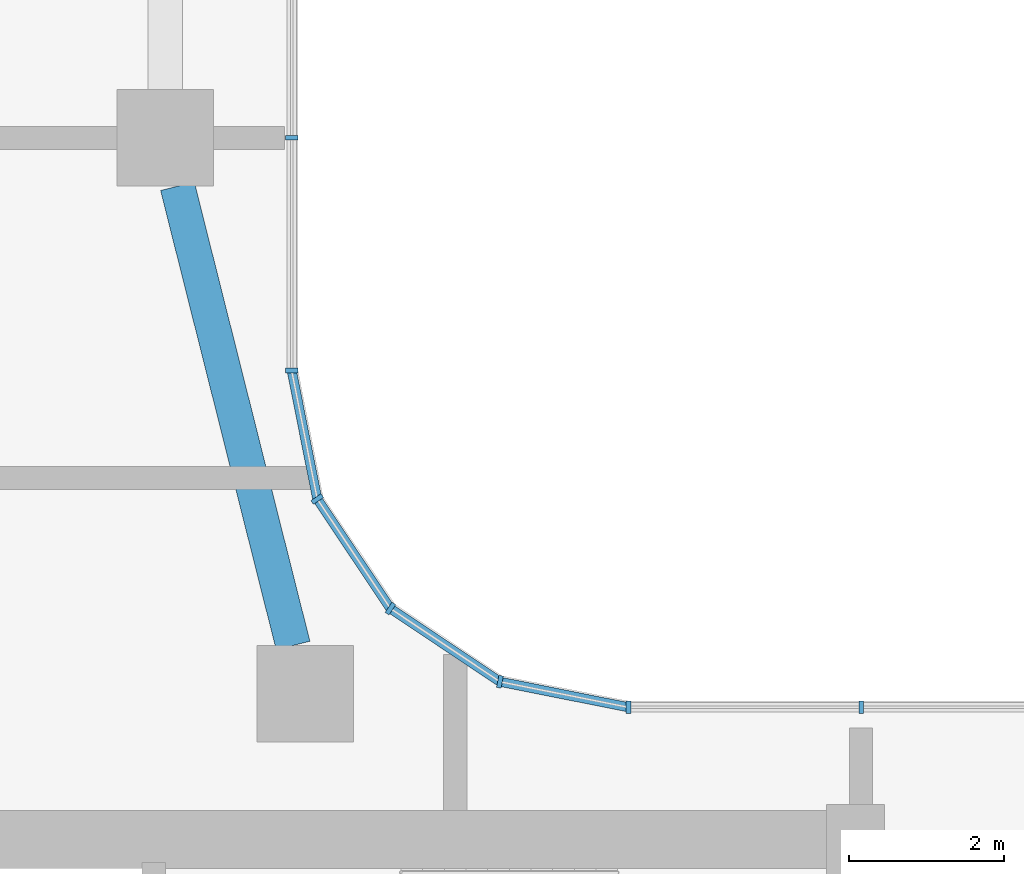
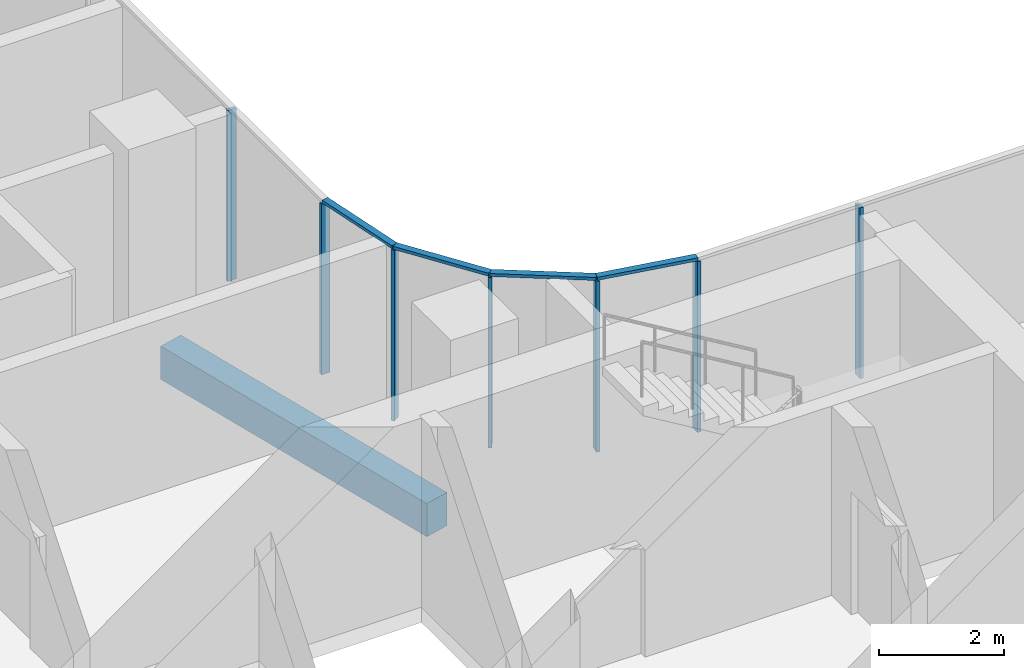
# One storey, part 2 of 22: 11 members, 1 beam, 3 elements without a shape of their own.
"""IFC4 building model written with IfcOpenShell, lengths in metres."""

from ifc_helpers import new_model, si_unit, direction, frame, origin, origin_2d, place, context, subcontext, project, spatial, rectangle, extrude, material, material_profile, profile_set, type_object, element, aggregate, save


model = new_model("IFC4")

# Units and contexts
model_context = context("Model", 3, precision=1e-05, world=origin(), true_north=direction((0.0, 1.0)))
body_context = subcontext(model_context, "Body", "Model", "MODEL_VIEW")
ifc_project = project(units=[si_unit("LENGTHUNIT", "METRE"), si_unit("AREAUNIT", "SQUARE_METRE"), si_unit("VOLUMEUNIT", "CUBIC_METRE"), si_unit("PLANEANGLEUNIT", "RADIAN"), si_unit("MASSUNIT", "GRAM", prefix="KILO")], contexts=[model_context])

# Site, building, storey
site_placement = place(None, origin())
site = spatial("IfcSite", under=ifc_project, at=site_placement, CompositionType="ELEMENT")
building_placement = place(site_placement, origin())
building = spatial("IfcBuilding", under=site, at=building_placement, Name="Ogive Portal Towers", CompositionType="ELEMENT")
storey_placement = place(building_placement, frame((0.0, 0.0, 131.5)))
storey = spatial("IfcBuildingStorey", under=building, at=storey_placement, Name="L32", CompositionType="ELEMENT", Elevation=131.5)

# Curtain wall, members
ifc_material_1 = material(Name="Glass, clear low-iron insulated glazing", Category="glass")
curtain_wall_type = type_object("IfcCurtainWallType", Name="CW FRONT RIBBON 4500", PredefinedType="NOTDEFINED", material=ifc_material_1)
curtain_wall_1_placement = place(storey_placement, origin())
curtain_wall_1 = element("IfcCurtainWall", 1, at=curtain_wall_1_placement, inside=storey, type_object=curtain_wall_type, Name="A:L32:f13:cw0", PredefinedType="NOTDEFINED")
ifc_material_2 = material(Name="Aluminium 6063 anodised", Category="aluminium")
ifc_material_profile_1 = material_profile(ifc_material_2, rectangle(XDim=0.159912109375, YDim=0.06005859375, at=origin_2d()), Name="AL 60x160")
ifc_profile_set_1 = profile_set([ifc_material_profile_1], Name="Aluminium 6063 anodised")
member_type_1 = type_object("IfcMemberType", Name="CW MULLION 60x160", PredefinedType="MULLION", material=ifc_profile_set_1)
member_1_placement = place(storey_placement, frame((58.5, 41.135009765625, 0.0), z_axis=(0.0, 0.0, 1.0), x_axis=(0.0, -1.0, 0.0)))
member_1 = element("IfcMember", 2, at=member_1_placement, type_object=member_type_1, Name="mullion", PredefinedType="MULLION", context=body_context, shape_type="SweptSolid", body=[
    extrude(rectangle(XDim=0.159912109375, YDim=0.06005859375, at=origin_2d()), origin(), (0.0, 0.0, 1.0), 3.340087890625),
])
member_2_placement = place(storey_placement, frame((55.4921875, 41.135009765625, 0.0), z_axis=(0.0, 0.0, 1.0), x_axis=(0.0, -1.0, 0.0)))
member_2 = element("IfcMember", 3, at=member_2_placement, type_object=member_type_1, Name="mullion", PredefinedType="MULLION", context=body_context, shape_type="SweptSolid", body=[
    extrude(rectangle(XDim=0.159912109375, YDim=0.06005859375, at=origin_2d()), origin(), (0.0, 0.0, 1.0), 3.340087890625),
])
aggregate(curtain_wall_1, [member_1, member_2])

curtain_wall_2_placement = place(storey_placement, origin())
curtain_wall_2 = element("IfcCurtainWall", 4, at=curtain_wall_2_placement, inside=storey, type_object=curtain_wall_type, Name="A:L32:f18:cw0", PredefinedType="NOTDEFINED")
member_3_placement = place(storey_placement, frame((51.135009765625, 45.4921875, 0.0), z_axis=(0.0, 0.0, 1.0), x_axis=(-1.0, 0.0, 0.0)))
member_3 = element("IfcMember", 5, at=member_3_placement, type_object=member_type_1, Name="mullion", PredefinedType="MULLION", context=body_context, shape_type="SweptSolid", body=[
    extrude(rectangle(XDim=0.159912109375, YDim=0.06005859375, at=origin_2d()), origin(), (0.0, 0.0, 1.0), 3.340087890625),
])
member_4_placement = place(storey_placement, frame((51.135009765625, 48.5, 0.0), z_axis=(0.0, 0.0, 1.0), x_axis=(-1.0, 0.0, 0.0)))
member_4 = element("IfcMember", 6, at=member_4_placement, type_object=member_type_1, Name="mullion", PredefinedType="MULLION", context=body_context, shape_type="SweptSolid", body=[
    extrude(rectangle(XDim=0.159912109375, YDim=0.06005859375, at=origin_2d()), origin(), (0.0, 0.0, 1.0), 3.340087890625),
])
aggregate(curtain_wall_2, [member_3, member_4])

curtain_wall_3_placement = place(storey_placement, origin())
curtain_wall_3 = element("IfcCurtainWall", 7, at=curtain_wall_3_placement, inside=storey, type_object=curtain_wall_type, Name="A:L32:f14:cwa", PredefinedType="NOTDEFINED")
member_5_placement = place(storey_placement, frame((53.8291015625, 41.4658203125, 0.0), z_axis=(0.0, 0.0, 1.0), x_axis=(-0.195090322016, -0.980785280403, 0.0)))
member_5 = element("IfcMember", 8, at=member_5_placement, type_object=member_type_1, Name="mullion", PredefinedType="MULLION", context=body_context, shape_type="SweptSolid", body=[
    extrude(rectangle(XDim=0.159912109375, YDim=0.06005859375, at=origin_2d()), origin(), (0.0, 0.0, 1.0), 3.340087890625),
])
member_6_placement = place(storey_placement, frame((52.412353515625, 42.412353515625, 0.0), z_axis=(0.0, 0.0, 1.0), x_axis=(-0.55557023302, -0.831469612303, 0.0)))
member_6 = element("IfcMember", 9, at=member_6_placement, type_object=member_type_1, Name="mullion", PredefinedType="MULLION", context=body_context, shape_type="SweptSolid", body=[
    extrude(rectangle(XDim=0.159912109375, YDim=0.06005859375, at=origin_2d()), origin(), (0.0, 0.0, 1.0), 3.340087890625),
])
member_7_placement = place(storey_placement, frame((51.4658203125, 43.8291015625, 0.0), z_axis=(0.0, 0.0, 1.0), x_axis=(-0.831469612303, -0.55557023302, 0.0)))
member_7 = element("IfcMember", 10, at=member_7_placement, type_object=member_type_1, Name="mullion", PredefinedType="MULLION", context=body_context, shape_type="SweptSolid", body=[
    extrude(rectangle(XDim=0.159912109375, YDim=0.06005859375, at=origin_2d()), origin(), (0.0, 0.0, 1.0), 3.340087890625),
])
ifc_material_profile_2 = material_profile(ifc_material_2, rectangle(XDim=0.1201171875, YDim=0.06005859375, at=origin_2d()), Name="AL 120x60")
ifc_profile_set_2 = profile_set([ifc_material_profile_2], Name="Aluminium 6063 anodised")
member_type_2 = type_object("IfcMemberType", Name="CW TRANSOM 60x120", PredefinedType="USERDEFINED", material=ifc_profile_set_2)
member_8_placement = place(storey_placement, frame((55.4921875, 41.135009765625, 3.3701171875), z_axis=(-0.980785033743, 0.195091562056, 0.0), x_axis=(-0.195091562056, -0.980785033743, 0.0)))
member_8 = element("IfcMember", 11, at=member_8_placement, type_object=member_type_2, Name="transom", ObjectType="TRANSOM", PredefinedType="USERDEFINED", context=body_context, shape_type="SweptSolid", body=[
    extrude(rectangle(XDim=0.1201171875, YDim=0.06005859375, at=origin_2d()), origin(), (0.0, 0.0, 1.0), 1.695556640625),
])
member_9_placement = place(storey_placement, frame((53.8291015625, 41.4658203125, 3.3701171875), z_axis=(-0.831498776979, 0.555526582517, 0.0), x_axis=(-0.555526582517, -0.831498776979, 0.0)))
member_9 = element("IfcMember", 12, at=member_9_placement, type_object=member_type_2, Name="transom", ObjectType="TRANSOM", PredefinedType="USERDEFINED", context=body_context, shape_type="SweptSolid", body=[
    extrude(rectangle(XDim=0.1201171875, YDim=0.06005859375, at=origin_2d()), origin(), (0.0, 0.0, 1.0), 1.703857421875),
])
member_10_placement = place(storey_placement, frame((52.412353515625, 42.412353515625, 3.3701171875), z_axis=(-0.555526582517, 0.831498776979, 0.0), x_axis=(-0.831498776979, -0.555526582517, 0.0)))
member_10 = element("IfcMember", 13, at=member_10_placement, type_object=member_type_2, Name="transom", ObjectType="TRANSOM", PredefinedType="USERDEFINED", context=body_context, shape_type="SweptSolid", body=[
    extrude(rectangle(XDim=0.1201171875, YDim=0.06005859375, at=origin_2d()), origin(), (0.0, 0.0, 1.0), 1.703857421875),
])
member_11_placement = place(storey_placement, frame((51.4658203125, 43.8291015625, 3.3701171875), z_axis=(-0.195091562056, 0.980785033743, 0.0), x_axis=(-0.980785033743, -0.195091562056, 0.0)))
member_11 = element("IfcMember", 14, at=member_11_placement, type_object=member_type_2, Name="transom", ObjectType="TRANSOM", PredefinedType="USERDEFINED", context=body_context, shape_type="SweptSolid", body=[
    extrude(rectangle(XDim=0.1201171875, YDim=0.06005859375, at=origin_2d()), origin(), (0.0, 0.0, 1.0), 1.695556640625),
])
aggregate(curtain_wall_3, [member_8, member_9, member_10, member_11, member_5, member_6, member_7])

# Beam
ifc_material_3 = material(Name="Concrete C50/60", Category="concrete")
ifc_material_profile_3 = material_profile(ifc_material_3, rectangle(XDim=0.449951171875, YDim=0.64990234375, at=origin_2d()), Name="RC 450x650")
ifc_profile_set_3 = profile_set([ifc_material_profile_3], Name="Concrete C50/60")
beam_type = type_object("IfcBeamType", Name="SPANDREL BEAM RC 450x650", PredefinedType="BEAM", material=ifc_profile_set_3)
beam_placement = place(storey_placement, frame((49.6572265625, 47.875, -0.625), z_axis=(0.24412961337, -0.969742611148, 0.0), x_axis=(0.969742611148, 0.24412961337, 0.0)))
element("IfcBeam", 15, at=beam_placement, inside=storey, type_object=beam_type, Name="Spandrel beam L32", PredefinedType="BEAM", context=body_context, shape_type="SweptSolid", body=[
    extrude(rectangle(XDim=0.449951171875, YDim=0.64990234375, at=origin_2d()), origin(), (0.0, 0.0, 1.0), 6.125244140625),
])

save(model, "model.ifc")
